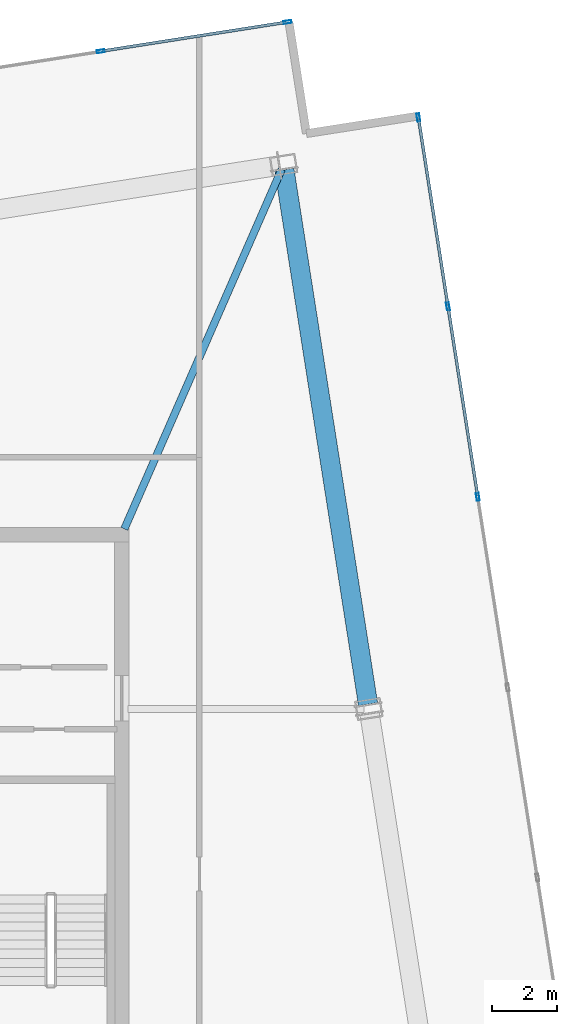
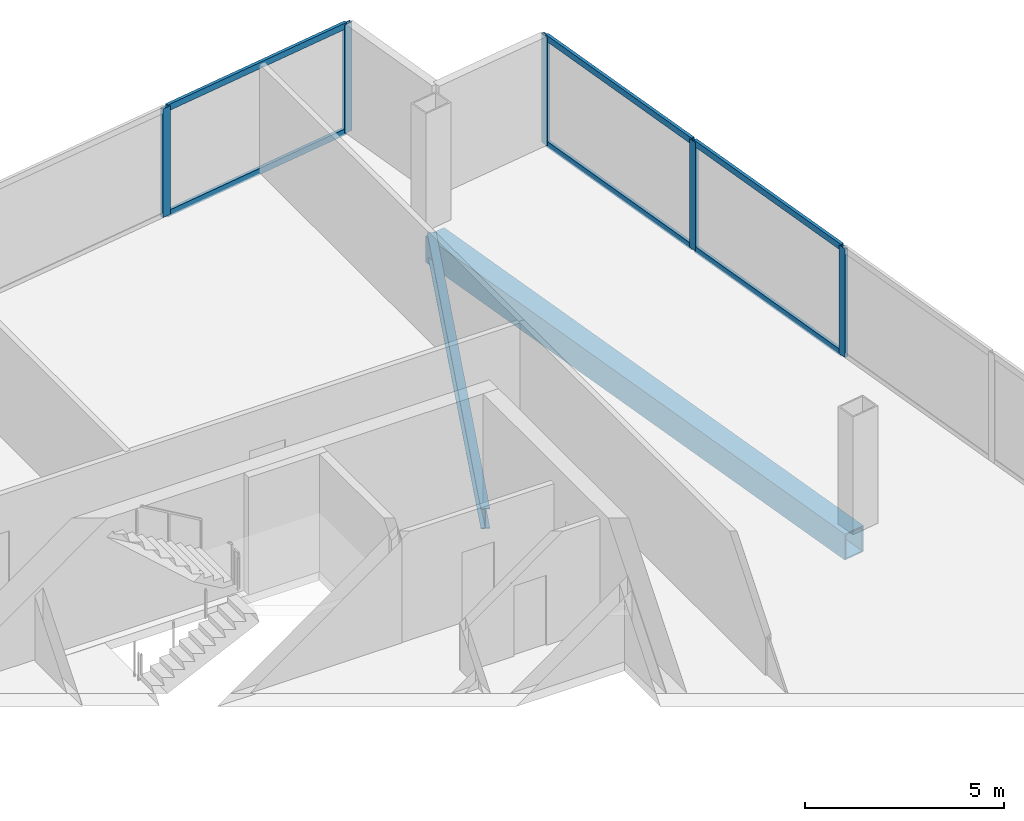
# One storey, part 13 of 17: 11 members, 2 beams, 2 elements without a shape of their own.
"""IFC4 building model written with IfcOpenShell, lengths in metres."""

from ifc_helpers import new_model, si_unit, direction, frame, origin, origin_2d, place, context, subcontext, project, spatial, hollow_rectangle, i_section, extrude, material, material_profile, profile_set, type_object, element, aggregate, save


model = new_model("IFC4")

# Units and contexts
model_context = context("Model", 3, precision=1e-05, world=origin(), true_north=direction((0.0, 1.0)))
body_context = subcontext(model_context, "Body", "Model", "MODEL_VIEW")
ifc_project = project(units=[si_unit("LENGTHUNIT", "METRE"), si_unit("AREAUNIT", "SQUARE_METRE"), si_unit("VOLUMEUNIT", "CUBIC_METRE"), si_unit("PLANEANGLEUNIT", "RADIAN"), si_unit("MASSUNIT", "GRAM", prefix="KILO")], contexts=[model_context])

# Site, building, storey
site_placement = place(None, origin())
site = spatial("IfcSite", under=ifc_project, at=site_placement, CompositionType="ELEMENT")
building_placement = place(site_placement, origin())
building = spatial("IfcBuilding", under=site, at=building_placement, Name="Haldenkirk Collegiate Tower", CompositionType="ELEMENT")
storey_placement = place(building_placement, frame((0.0, 0.0, 367.800048828125)))
storey = spatial("IfcBuildingStorey", under=building, at=storey_placement, Name="L93", CompositionType="ELEMENT", Elevation=367.800048828125)

# Beams
ifc_material_1 = material(Name="Steel ASTM A992 Grade 50", Category="steel")
ifc_material_profile_1 = material_profile(ifc_material_1, i_section(OverallWidth=0.22998046875, OverallDepth=0.616943359375, WebThickness=0.01318359375, FlangeThickness=0.022216796875, at=origin_2d()), Name="W24X94")
ifc_profile_set_1 = profile_set([ifc_material_profile_1], Name="Steel ASTM A992 Grade 50")
beam_type_1 = type_object("IfcBeamType", Name="BM-GIRDER-W24X94", PredefinedType="BEAM", material=ifc_profile_set_1)
beam_1_placement = place(storey_placement, frame((49.94921875, 45.314208984375, -0.57861328125), z_axis=(-0.400769288395, -0.916179009517, 0.0), x_axis=(0.916179009517, -0.400769288395, 0.0)))
element("IfcBeam", 1, at=beam_1_placement, inside=storey, type_object=beam_type_1, Name="L93 crown radial floor beam 3", PredefinedType="BEAM", context=body_context, shape_type="SweptSolid", body=[
    extrude(i_section(OverallWidth=0.22998046875, OverallDepth=0.616943359375, WebThickness=0.01318359375, FlangeThickness=0.022216796875, at=origin_2d()), origin(), (0.0, 0.0, 1.0), 12.1494140625),
])
ifc_material_2 = material(Name="Steel ASTM A572 Grade 50", Category="steel")
ifc_material_profile_2 = material_profile(ifc_material_2, hollow_rectangle(XDim=0.60009765625, YDim=0.800048828125, WallThickness=0.0400390625, at=origin_2d()), Name="BOX800X600X40")
ifc_profile_set_2 = profile_set([ifc_material_profile_2], Name="Steel ASTM A572 Grade 50")
beam_type_2 = type_object("IfcBeamType", Name="BM-SPANDREL-BOX800X600X40", PredefinedType="SPANDREL", material=ifc_profile_set_2)
beam_2_placement = place(storey_placement, frame((52.623779296875, 28.755126953125, -0.670166015625), z_axis=(-0.154705009471, 0.987960707743, 0.0), x_axis=(-0.987960707743, -0.154705009471, 0.0)))
element("IfcBeam", 2, at=beam_2_placement, inside=storey, type_object=beam_type_2, Name="L93 Crown Ring Frame perimeter girder 2", PredefinedType="SPANDREL", context=body_context, shape_type="SweptSolid", body=[
    extrude(hollow_rectangle(XDim=0.60009765625, YDim=0.800048828125, WallThickness=0.0400390625, at=origin_2d()), origin(), (0.0, 0.0, 1.0), 16.75),
])

# Curtain wall, members
ifc_material_3 = material(Name="Anodised architectural bronze aluminium", Category="aluminium")
curtain_wall_type = type_object("IfcCurtainWallType", Name="CW-SYS6-CROWN", PredefinedType="USERDEFINED", material=ifc_material_3)
curtain_wall_1_placement = place(storey_placement, origin())
curtain_wall_1 = element("IfcCurtainWall", 3, at=curtain_wall_1_placement, inside=storey, type_object=curtain_wall_type, Name="L93 Closed crown ring ceramic-fritted bronze screen curtain wall", ObjectType="UNITISED CURTAIN WALL", PredefinedType="USERDEFINED")
ifc_material_profile_3 = material_profile(ifc_material_3, hollow_rectangle(XDim=0.090087890625, YDim=0.239990234375, WallThickness=0.0048828125, at=origin_2d()), Name="CW-MUL-06")
ifc_profile_set_3 = profile_set([ifc_material_profile_3], Name="Anodised architectural bronze aluminium")
member_type_1 = type_object("IfcMemberType", Name="CW-MUL-06", PredefinedType="MULLION", material=ifc_profile_set_3)
member_1_placement = place(storey_placement, frame((54.182373046875, 46.919921875, 0.0), z_axis=(0.0, 0.0, 1.0), x_axis=(0.987959532462, 0.154712514742, 0.0)))
member_1 = element("IfcMember", 4, at=member_1_placement, type_object=member_type_1, Name="CW-06 mullion 1", PredefinedType="MULLION", context=body_context, shape_type="SweptSolid", body=[
    extrude(hollow_rectangle(XDim=0.090087890625, YDim=0.239990234375, WallThickness=0.0048828125, at=origin_2d()), origin(), (0.0, 0.0, 1.0), 3.329833984375),
])
member_2_placement = place(storey_placement, frame((55.0986328125, 41.069580078125, 0.0), z_axis=(0.0, 0.0, 1.0), x_axis=(0.987959532462, 0.154712514742, 0.0)))
member_2 = element("IfcMember", 5, at=member_2_placement, type_object=member_type_1, Name="CW-06 mullion 2", PredefinedType="MULLION", context=body_context, shape_type="SweptSolid", body=[
    extrude(hollow_rectangle(XDim=0.090087890625, YDim=0.239990234375, WallThickness=0.0048828125, at=origin_2d()), origin(), (0.0, 0.0, 1.0), 3.329833984375),
])
member_3_placement = place(storey_placement, frame((56.021728515625, 35.174560546875, 0.0), z_axis=(0.0, 0.0, 1.0), x_axis=(0.987959532462, 0.154712514742, 0.0)))
member_3 = element("IfcMember", 6, at=member_3_placement, type_object=member_type_1, Name="CW-06 mullion 3", PredefinedType="MULLION", context=body_context, shape_type="SweptSolid", body=[
    extrude(hollow_rectangle(XDim=0.090087890625, YDim=0.239990234375, WallThickness=0.0048828125, at=origin_2d()), origin(), (0.0, 0.0, 1.0), 3.329833984375),
])

curtain_wall_2_placement = place(storey_placement, origin())
curtain_wall_2 = element("IfcCurtainWall", 7, at=curtain_wall_2_placement, inside=storey, type_object=curtain_wall_type, Name="L93 Closed crown ring ceramic-fritted bronze screen curtain wall", ObjectType="UNITISED CURTAIN WALL", PredefinedType="USERDEFINED")
member_4_placement = place(storey_placement, frame((44.34716796875, 48.968017578125, 0.0), z_axis=(0.0, 0.0, 1.0), x_axis=(-0.154708982189, 0.987960085646, 0.0)))
member_4 = element("IfcMember", 8, at=member_4_placement, type_object=member_type_1, Name="CW-06 mullion 6", PredefinedType="MULLION", context=body_context, shape_type="SweptSolid", body=[
    extrude(hollow_rectangle(XDim=0.090087890625, YDim=0.239990234375, WallThickness=0.0048828125, at=origin_2d()), origin(), (0.0, 0.0, 1.0), 3.329833984375),
])
member_5_placement = place(storey_placement, frame((50.131591796875, 49.873779296875, 0.0), z_axis=(0.0, 0.0, 1.0), x_axis=(-0.154708982189, 0.987960085646, 0.0)))
member_5 = element("IfcMember", 9, at=member_5_placement, type_object=member_type_1, Name="CW-06 mullion 7", PredefinedType="MULLION", context=body_context, shape_type="SweptSolid", body=[
    extrude(hollow_rectangle(XDim=0.090087890625, YDim=0.239990234375, WallThickness=0.0048828125, at=origin_2d()), origin(), (0.0, 0.0, 1.0), 3.329833984375),
])

# Member
ifc_material_profile_4 = material_profile(ifc_material_3, hollow_rectangle(XDim=0.090087890625, YDim=0.18994140625, WallThickness=0.0048828125, at=origin_2d()), Name="CW-TRN-06")
ifc_profile_set_4 = profile_set([ifc_material_profile_4], Name="Anodised architectural bronze aluminium")
member_type_2 = type_object("IfcMemberType", Name="CW-TRN-06", PredefinedType="USERDEFINED", material=ifc_profile_set_4)
member_6_placement = place(storey_placement, frame((54.189208984375, 46.87548828125, 0.044921875), z_axis=(0.154730622105, -0.987956696714, 0.0), x_axis=(0.987956696714, 0.154730622105, 0.0)))
member_6 = element("IfcMember", 10, at=member_6_placement, type_object=member_type_2, Name="CW-06 transom 1.1", ObjectType="TRANSOM", PredefinedType="USERDEFINED", context=body_context, shape_type="SweptSolid", body=[
    extrude(hollow_rectangle(XDim=0.090087890625, YDim=0.18994140625, WallThickness=0.0048828125, at=origin_2d()), origin(), (0.0, 0.0, 1.0), 5.831787109375),
])

member_7_placement = place(storey_placement, frame((54.189208984375, 46.87548828125, 3.284912109375), z_axis=(0.154730622105, -0.987956696714, 0.0), x_axis=(0.987956696714, 0.154730622105, 0.0)))
member_7 = element("IfcMember", 11, at=member_7_placement, type_object=member_type_2, Name="CW-06 transom 1.2", ObjectType="TRANSOM", PredefinedType="USERDEFINED", context=body_context, shape_type="SweptSolid", body=[
    extrude(hollow_rectangle(XDim=0.090087890625, YDim=0.18994140625, WallThickness=0.0048828125, at=origin_2d()), origin(), (0.0, 0.0, 1.0), 5.831787109375),
])

member_8_placement = place(storey_placement, frame((55.10546875, 41.025146484375, 0.044921875), z_axis=(0.154710174658, -0.987959898912, 0.0), x_axis=(0.987959898912, 0.154710174658, 0.0)))
member_8 = element("IfcMember", 12, at=member_8_placement, type_object=member_type_2, Name="CW-06 transom 2.1", ObjectType="TRANSOM", PredefinedType="USERDEFINED", context=body_context, shape_type="SweptSolid", body=[
    extrude(hollow_rectangle(XDim=0.090087890625, YDim=0.18994140625, WallThickness=0.0048828125, at=origin_2d()), origin(), (0.0, 0.0, 1.0), 5.876708984375),
])

member_9_placement = place(storey_placement, frame((55.10546875, 41.025146484375, 3.284912109375), z_axis=(0.154710174658, -0.987959898912, 0.0), x_axis=(0.987959898912, 0.154710174658, 0.0)))
member_9 = element("IfcMember", 13, at=member_9_placement, type_object=member_type_2, Name="CW-06 transom 2.2", ObjectType="TRANSOM", PredefinedType="USERDEFINED", context=body_context, shape_type="SweptSolid", body=[
    extrude(hollow_rectangle(XDim=0.090087890625, YDim=0.18994140625, WallThickness=0.0048828125, at=origin_2d()), origin(), (0.0, 0.0, 1.0), 5.876708984375),
])

aggregate(curtain_wall_1, [member_1, member_2, member_3, member_6, member_7, member_8, member_9])

member_10_placement = place(storey_placement, frame((44.3916015625, 48.974853515625, 0.044921875), z_axis=(0.987961315074, 0.154701130951, 0.0), x_axis=(-0.154701130951, 0.987961315074, 0.0)))
member_10 = element("IfcMember", 14, at=member_10_placement, type_object=member_type_2, Name="CW-06 transom 6.1", ObjectType="TRANSOM", PredefinedType="USERDEFINED", context=body_context, shape_type="SweptSolid", body=[
    extrude(hollow_rectangle(XDim=0.090087890625, YDim=0.18994140625, WallThickness=0.0048828125, at=origin_2d()), origin(), (0.0, 0.0, 1.0), 5.764892578125),
])

member_11_placement = place(storey_placement, frame((44.3916015625, 48.974853515625, 3.284912109375), z_axis=(0.987961315074, 0.154701130951, 0.0), x_axis=(-0.154701130951, 0.987961315074, 0.0)))
member_11 = element("IfcMember", 15, at=member_11_placement, type_object=member_type_2, Name="CW-06 transom 6.2", ObjectType="TRANSOM", PredefinedType="USERDEFINED", context=body_context, shape_type="SweptSolid", body=[
    extrude(hollow_rectangle(XDim=0.090087890625, YDim=0.18994140625, WallThickness=0.0048828125, at=origin_2d()), origin(), (0.0, 0.0, 1.0), 5.764892578125),
])

aggregate(curtain_wall_2, [member_4, member_5, member_10, member_11])

save(model, "model.ifc")
